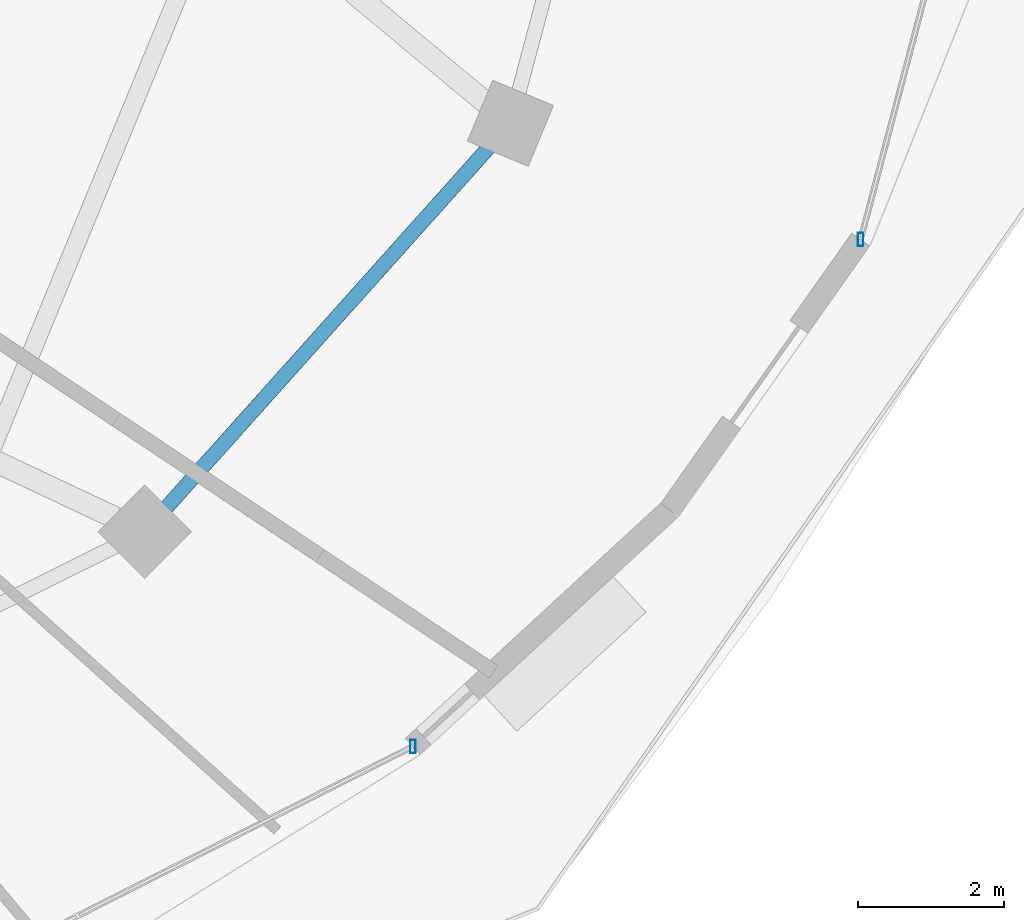
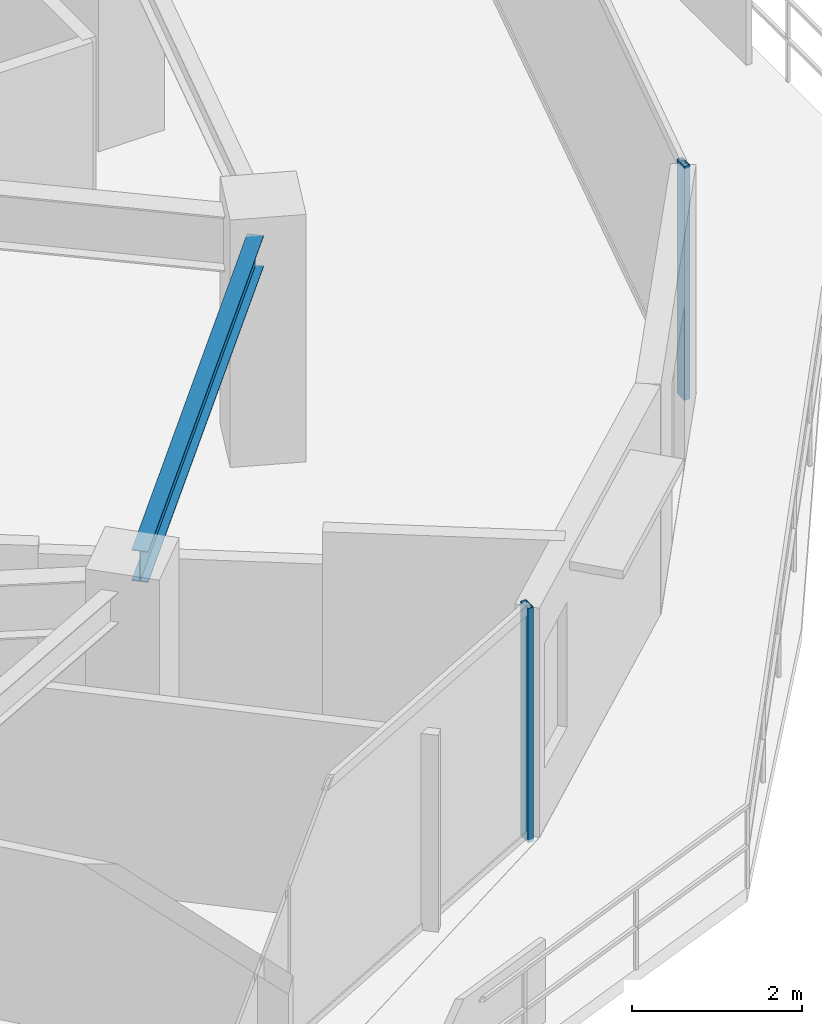
# One storey, part 13 of 34: 2 members, 1 beam, 2 elements without a shape of their own.
"""IFC4 building model written with IfcOpenShell, lengths in metres."""

from ifc_helpers import new_model, si_unit, direction, frame, origin, origin_2d, place, context, subcontext, project, spatial, hollow_rectangle, i_section, extrude, material, material_profile, profile_set, type_object, element, aggregate, save


model = new_model("IFC4")

# Units and contexts
model_context = context("Model", 3, precision=1e-05, world=origin(), true_north=direction((0.0, 1.0)))
body_context = subcontext(model_context, "Body", "Model", "MODEL_VIEW")
ifc_project = project(units=[si_unit("LENGTHUNIT", "METRE"), si_unit("AREAUNIT", "SQUARE_METRE"), si_unit("VOLUMEUNIT", "CUBIC_METRE"), si_unit("PLANEANGLEUNIT", "RADIAN"), si_unit("MASSUNIT", "GRAM", prefix="KILO")], contexts=[model_context])

# Site, building, storey
site_placement = place(None, origin())
site = spatial("IfcSite", under=ifc_project, at=site_placement, CompositionType="ELEMENT")
building_placement = place(site_placement, origin())
building = spatial("IfcBuilding", under=site, at=building_placement, Name="Vorneva Point Tower", CompositionType="ELEMENT")
storey_placement = place(building_placement, frame((0.0, 0.0, 214.300048828125)))
storey = spatial("IfcBuildingStorey", under=building, at=storey_placement, Name="L58", CompositionType="ELEMENT", Elevation=214.300048828125)

# Beam
ifc_material_1 = material(Name="Steel S355", Category="steel")
ifc_material_profile_1 = material_profile(ifc_material_1, i_section(OverallWidth=0.198974609375, OverallDepth=0.446044921875, WebThickness=0.008056640625, FlangeThickness=0.011962890625, at=origin_2d()), Name="45B1")
ifc_profile_set_1 = profile_set([ifc_material_profile_1], Name="Steel S355")
beam_type = type_object("IfcBeamType", Name="BM-SPN-45B1", PredefinedType="SPANDREL", material=ifc_profile_set_1)
beam_placement = place(storey_placement, frame((54.589111328125, 14.161865234375, 3.06689453125), z_axis=(0.66706970547, 0.744995307397, 0.0), x_axis=(-0.744995307397, 0.66706970547, 0.0)))
element("IfcBeam", 1, at=beam_placement, inside=storey, type_object=beam_type, Name="L58 Perimeter Spandrel Ring Beam 15", PredefinedType="SPANDREL", context=body_context, shape_type="SweptSolid", body=[
    extrude(i_section(OverallWidth=0.198974609375, OverallDepth=0.446044921875, WebThickness=0.008056640625, FlangeThickness=0.011962890625, at=origin_2d()), origin(), (0.0, 0.0, 1.0), 6.6201171875),
])

# Curtain wall, member
ifc_material_2 = material(Name="Pale anodised aluminium", Category="aluminium")
curtain_wall_type = type_object("IfcCurtainWallType", Name="CW-RES-SYS", PredefinedType="NOTDEFINED", material=ifc_material_2)
curtain_wall_1_placement = place(storey_placement, origin())
curtain_wall_1 = element("IfcCurtainWall", 2, at=curtain_wall_1_placement, inside=storey, type_object=curtain_wall_type, Name="L58 Unitised Curtain Wall CW-L58-R01", PredefinedType="NOTDEFINED")
ifc_material_profile_2 = material_profile(ifc_material_2, hollow_rectangle(XDim=0.074951171875, YDim=0.179931640625, WallThickness=0.00390625, at=origin_2d()), Name="AL-MUL 180x75x4")
ifc_profile_set_2 = profile_set([ifc_material_profile_2], Name="Pale anodised aluminium")
member_type = type_object("IfcMemberType", Name="CW-MUL-180", PredefinedType="MULLION", material=ifc_profile_set_2)
member_1_placement = place(storey_placement, frame((64.0810546875, 17.82958984375, -0.0400390625), z_axis=(0.0, 0.0, 1.0), x_axis=(1.0, 0.0, 0.0)))
member_1 = element("IfcMember", 3, at=member_1_placement, type_object=member_type, Name="CW-L58-R01 Mullion 01", PredefinedType="MULLION", context=body_context, shape_type="SweptSolid", body=[
    extrude(hollow_rectangle(XDim=0.074951171875, YDim=0.179931640625, WallThickness=0.00390625, at=origin_2d()), origin(), (0.0, 0.0, 1.0), 3.360107421875),
])
aggregate(curtain_wall_1, [member_1])

curtain_wall_2_placement = place(storey_placement, origin())
curtain_wall_2 = element("IfcCurtainWall", 4, at=curtain_wall_2_placement, inside=storey, type_object=curtain_wall_type, Name="L58 Unitised Curtain Wall CW-L58-R04", PredefinedType="NOTDEFINED")
member_2_placement = place(storey_placement, frame((57.961669921875, 10.9033203125, -0.0400390625), z_axis=(0.0, 0.0, 1.0), x_axis=(1.0, 0.0, 0.0)))
member_2 = element("IfcMember", 5, at=member_2_placement, type_object=member_type, Name="CW-L58-R04 Mullion 05", PredefinedType="MULLION", context=body_context, shape_type="SweptSolid", body=[
    extrude(hollow_rectangle(XDim=0.074951171875, YDim=0.179931640625, WallThickness=0.00390625, at=origin_2d()), origin(), (0.0, 0.0, 1.0), 3.360107421875),
])
aggregate(curtain_wall_2, [member_2])

save(model, "model.ifc")
